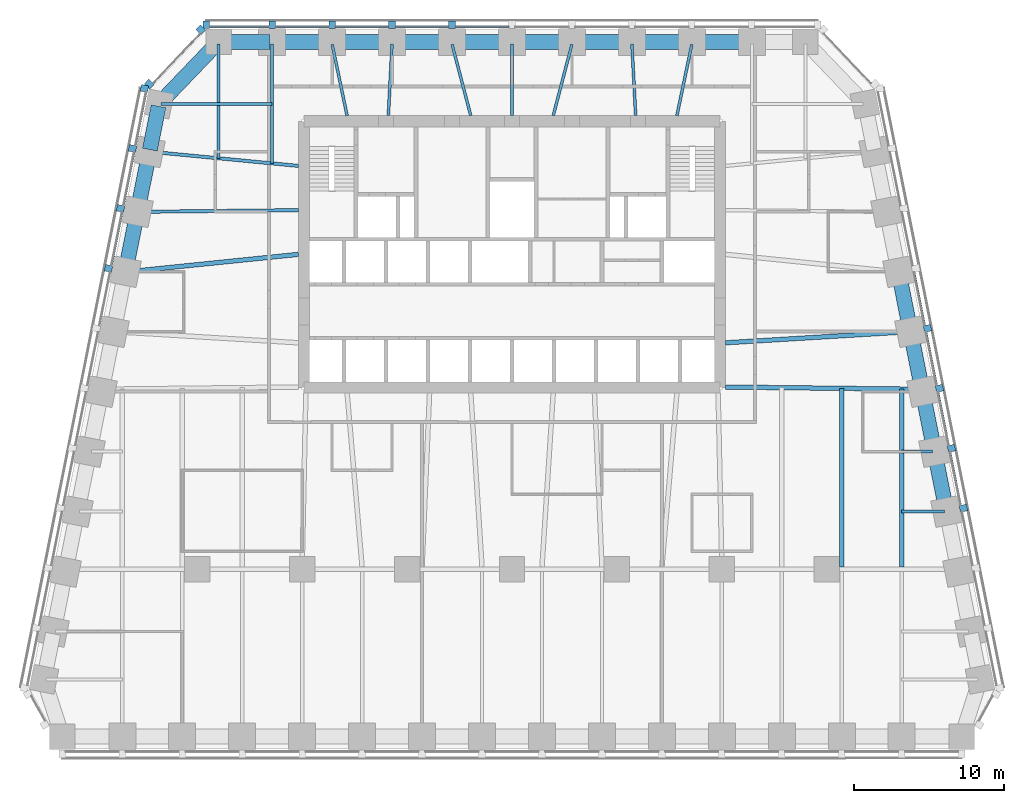
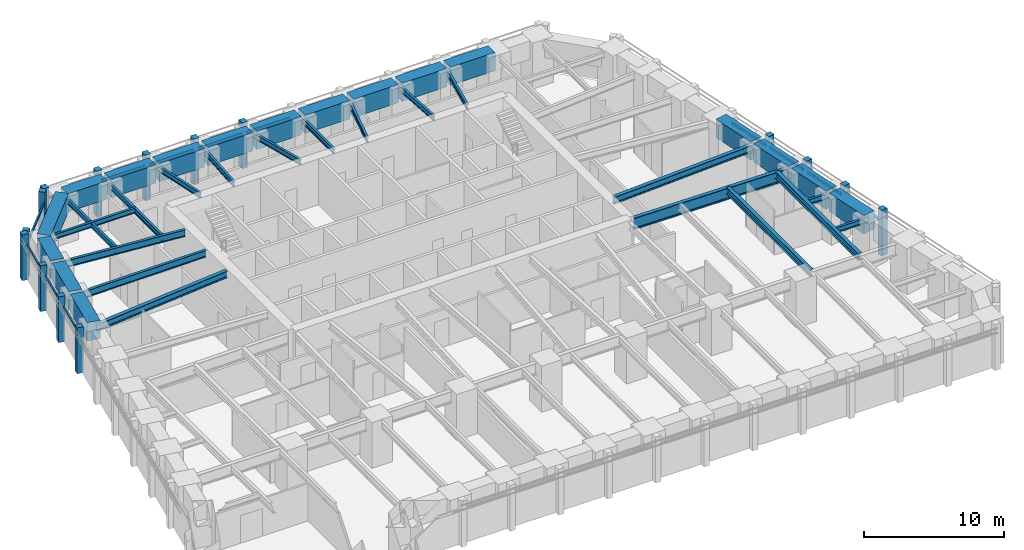
# One storey, part 3 of 10: 36 beams, 28 members, 4 elements without a shape of their own.
"""IFC4 building model written with IfcOpenShell, lengths in metres."""

import ifcopenshell
import ifcopenshell.guid

model = None  # the IFC model being written
_history = None  # IfcOwnerHistory: only IFC2X3 demands one
_inside = {}  # id of a spatial element -> (the spatial element, [elements in it])
_under = {}  # id of a project, library or spatial element -> (it, [spatial elements below it])
_declared = {}  # id of a project -> (the project, [libraries it declares])
_typed = {}  # id of a type object -> (the type object, [elements of that type])
_made_of = {}  # id of a material, layer set ... -> (it, [elements and type objects made of it])


def new_model(schema):
    """Start an empty IFC model of exactly this schema.

    Asked for "IFC4X3", IfcOpenShell would pick the latest addendum, in which some entities
    have other attributes; the version numbers below select the first issue.
    IFC2X3 requires an IfcOwnerHistory on every rooted entity: one is made here for all.
    """
    global model, _history
    if schema == "IFC4X3":
        model = ifcopenshell.file(schema_version=(4, 3, 0, 0))
    else:
        model = ifcopenshell.file(schema=schema)
    _inside.clear()
    _under.clear()
    _declared.clear()
    _typed.clear()
    _made_of.clear()
    _history = None
    if model.schema == "IFC2X3":
        org = make("IfcOrganization", Name="unknown")
        user = make(
            "IfcPersonAndOrganization",
            ThePerson=make("IfcPerson", FamilyName="unknown"),
            TheOrganization=org,
        )
        app = make(
            "IfcApplication",
            ApplicationDeveloper=org,
            Version="unknown",
            ApplicationFullName="unknown",
            ApplicationIdentifier="unknown",
        )
        _history = make(
            "IfcOwnerHistory",
            OwningUser=user,
            OwningApplication=app,
            ChangeAction="ADDED",
            CreationDate=0,
        )
    return model


def make(cls, **values):
    """One entity of the class cls with the attributes given. An attribute that is None is left unset."""
    return model.create_entity(
        cls, **{name: value for name, value in values.items() if value is not None}
    )


def rooted(cls, **values):
    """An entity with a GlobalId (a new one), such as an element, a storey or a relation."""
    return make(cls, GlobalId=ifcopenshell.guid.new(), OwnerHistory=_history, **values)


def si_unit(unit_type, name, prefix=None):
    """IfcSIUnit, for example si_unit("LENGTHUNIT", "METRE", prefix="MILLI")."""
    return make("IfcSIUnit", UnitType=unit_type, Prefix=prefix, Name=name)


def assignment(units):
    """IfcUnitAssignment: the units of a project."""
    return None if units is None else make("IfcUnitAssignment", Units=units)


def point(xyz):
    """IfcCartesianPoint."""
    return None if xyz is None else make("IfcCartesianPoint", Coordinates=xyz)


def direction(xyz):
    """IfcDirection."""
    return None if xyz is None else make("IfcDirection", DirectionRatios=xyz)


def frame(location, z_axis=None, x_axis=None):
    """IfcAxis2Placement3D, a coordinate frame: its origin and axes. An axis left out is left unset."""
    return make(
        "IfcAxis2Placement3D",
        Location=point(location),
        Axis=direction(z_axis),
        RefDirection=direction(x_axis),
    )


def frame_2d(location, x_axis=None):
    """IfcAxis2Placement2D, a coordinate frame in the plane: its origin and x axis."""
    return make(
        "IfcAxis2Placement2D", Location=point(location), RefDirection=direction(x_axis)
    )


def origin():
    """The frame at (0, 0, 0) with its axes left unset."""
    return frame((0.0, 0.0, 0.0))


def origin_2d():
    """The frame at (0, 0) in the plane with its x axis left unset."""
    return frame_2d((0.0, 0.0))


def place(relative_to, where):
    """IfcLocalPlacement: puts the frame where relative to a parent placement (None: the world)."""
    return make(
        "IfcLocalPlacement", PlacementRelTo=relative_to, RelativePlacement=where
    )


def context(
    kind, dimensions, precision=None, world=None, true_north=None, identifier=None
):
    """IfcGeometricRepresentationContext, for example the 3D "Model" context."""
    return make(
        "IfcGeometricRepresentationContext",
        ContextIdentifier=identifier,
        ContextType=kind,
        CoordinateSpaceDimension=dimensions,
        Precision=precision,
        WorldCoordinateSystem=world,
        TrueNorth=true_north,
    )


def subcontext(parent, identifier, kind, view, scale=None):
    """IfcGeometricRepresentationSubContext, for example "Body" below "Model"."""
    return make(
        "IfcGeometricRepresentationSubContext",
        ContextIdentifier=identifier,
        ContextType=kind,
        ParentContext=parent,
        TargetScale=scale,
        TargetView=view,
    )


def project(units=None, contexts=None):
    """IfcProject with its units and contexts."""
    return rooted(
        "IfcProject",
        Name="project",
        RepresentationContexts=contexts,
        UnitsInContext=assignment(units),
    )


def spatial(cls, under=None, at=None, **own):
    """A site, building, storey or space (cls), placed at a placement, below another one or the project."""
    s = rooted(cls, ObjectPlacement=at, **own)
    if under is not None:
        _under.setdefault(under.id(), (under, []))[1].append(s)
    return s


def profile(cls, at=None, kind="AREA", **sizes):
    """A parametric profile (cls). Its sizes go by their IFC names, for example OverallWidth=200.0."""
    return make(cls, ProfileType=kind, Position=at, **sizes)


def rectangle(**sizes):
    """IfcRectangleProfileDef."""
    return profile("IfcRectangleProfileDef", **sizes)


def i_section(**sizes):
    """IfcIShapeProfileDef."""
    return profile("IfcIShapeProfileDef", **sizes)


def extrude(swept, where, along, depth):
    """IfcExtrudedAreaSolid: the profile swept, set in the frame where, extruded along a direction by depth."""
    return make(
        "IfcExtrudedAreaSolid",
        SweptArea=swept,
        Position=where,
        ExtrudedDirection=direction(along),
        Depth=depth,
    )


def shape(context_of_items, identifier, shape_type, items):
    """IfcShapeRepresentation: the items that make up one representation, for example the "Body"."""
    return make(
        "IfcShapeRepresentation",
        ContextOfItems=context_of_items,
        RepresentationIdentifier=identifier,
        RepresentationType=shape_type,
        Items=items,
    )


def material(Name=None, Category=None):
    """IfcMaterial."""
    return make("IfcMaterial", Name=Name, Category=Category)


def material_profile(
    of_material, cross_section, Name=None, Category=None, Priority=None
):
    """IfcMaterialProfile: a cross section and its material."""
    return make(
        "IfcMaterialProfile",
        Name=Name,
        Material=of_material,
        Profile=cross_section,
        Priority=Priority,
        Category=Category,
    )


def profile_set(profiles, Name=None, composite=None):
    """IfcMaterialProfileSet."""
    return make(
        "IfcMaterialProfileSet",
        Name=Name,
        MaterialProfiles=profiles,
        CompositeProfile=composite,
    )


def made_of(thing, what):
    """Note that an element or type object is made of a material, layer set ...; save() writes the relation."""
    if what is not None:
        _made_of.setdefault(what.id(), (what, []))[1].append(thing)
    return thing


def type_object(cls, material=None, **own):
    """A type object (cls), such as IfcWallType, which elements share."""
    return made_of(rooted(cls, **own), material)


def element(
    cls,
    number,
    at=None,
    inside=None,
    cuts=None,
    type_object=None,
    material=None,
    context=None,
    identifier="Body",
    shape_type=None,
    held_by="IfcProductDefinitionShape",
    body=None,
    shapes=None,
    **own,
):
    """One element of the class cls, such as IfcWall. Its Tag is "e" and its number.

    at: its placement. inside: the storey or other place that contains it. cuts: it is an
    opening in that element (IfcRelVoidsElement). A single representation is given by context,
    identifier, shape_type and body (its items); several are given by shapes. held_by: the class
    of the entity that holds the representations. save() writes the other relations.
    """
    e = rooted(cls, Tag="e%d" % number, ObjectPlacement=at, **own)
    if body is not None:
        shapes = [shape(context, identifier, shape_type, body)]
    if shapes is not None:
        e.Representation = make(held_by, Representations=shapes)
    if inside is not None:
        _inside.setdefault(inside.id(), (inside, []))[1].append(e)
    if cuts is not None:
        rooted(
            "IfcRelVoidsElement", RelatingBuildingElement=cuts, RelatedOpeningElement=e
        )
    if type_object is not None:
        _typed.setdefault(type_object.id(), (type_object, []))[1].append(e)
    return made_of(e, material)


def aggregate(whole, parts):
    """IfcRelAggregates: a whole, such as a stair, and the parts it consists of."""
    return rooted("IfcRelAggregates", RelatingObject=whole, RelatedObjects=parts)


def save(model, path):
    """Write the relations noted so far, then the file.

    IfcRelAggregates (storeys below a building ...), IfcRelContainedInSpatialStructure (elements
    in a storey), IfcRelDefinesByType, IfcRelAssociatesMaterial and IfcRelDeclares: one each for
    every whole, place, type object, material and project.
    """
    for whole, parts in _under.values():
        aggregate(whole, parts)
    for where, things in _inside.values():
        rooted(
            "IfcRelContainedInSpatialStructure",
            RelatedElements=things,
            RelatingStructure=where,
        )
    for kind, things in _typed.values():
        rooted("IfcRelDefinesByType", RelatedObjects=things, RelatingType=kind)
    for what, things in _made_of.values():
        rooted("IfcRelAssociatesMaterial", RelatedObjects=things, RelatingMaterial=what)
    for by, libraries in _declared.values():
        rooted("IfcRelDeclares", RelatingContext=by, RelatedDefinitions=libraries)
    model.write(path)


model = new_model("IFC4")

# Units and contexts
model_context = context("Model", 3, precision=1e-05, world=origin(), true_north=direction((0.0, 1.0)))
body_context = subcontext(model_context, "Body", "Model", "MODEL_VIEW")
ifc_project = project(units=[si_unit("LENGTHUNIT", "METRE"), si_unit("AREAUNIT", "SQUARE_METRE"), si_unit("VOLUMEUNIT", "CUBIC_METRE"), si_unit("PLANEANGLEUNIT", "RADIAN"), si_unit("MASSUNIT", "GRAM", prefix="KILO")], contexts=[model_context])

# Site, building, storey
site_placement = place(None, origin())
site = spatial("IfcSite", under=ifc_project, at=site_placement, CompositionType="ELEMENT")
building_placement = place(site_placement, origin())
building = spatial("IfcBuilding", under=site, at=building_placement, Name="Isbrekke Arena Tower", CompositionType="ELEMENT")
storey_placement = place(building_placement, frame((0.0, 0.0, 155.0)))
storey = spatial("IfcBuildingStorey", under=building, at=storey_placement, Name="L35", CompositionType="ELEMENT", Elevation=155.0)

# Beams
ifc_material_1 = material(Name="Steel S355", Category="steel")
ifc_material_profile_1 = material_profile(ifc_material_1, i_section(OverallWidth=0.219970703125, OverallDepth=0.60009765625, WebThickness=0.011962890625, FlangeThickness=0.01904296875, FilletRadius=0.02392578125, at=origin_2d()), Name="IPE 600")
ifc_profile_set_1 = profile_set([ifc_material_profile_1], Name="Steel S355")
beam_type_1 = type_object("IfcBeamType", Name="B1 IPE 600", PredefinedType="BEAM", material=ifc_profile_set_1)
beam_1_placement = place(storey_placement, frame((-24.030517578125, 21.837158203125, 3.550048828125), z_axis=(0.995439798606, -0.095391862082, 0.0), x_axis=(0.095391862082, 0.995439798606, 0.0)))
element("IfcBeam", 1, at=beam_1_placement, inside=storey, type_object=beam_type_1, Name="B1 beam E-W02 L35", PredefinedType="BEAM", context=body_context, shape_type="SweptSolid", body=[
    extrude(i_section(OverallWidth=0.219970703125, OverallDepth=0.60009765625, WebThickness=0.011962890625, FlangeThickness=0.01904296875, FilletRadius=0.02392578125, at=origin_2d()), origin(), (0.0, 0.0, 1.0), 9.825439453125),
])
beam_2_placement = place(storey_placement, frame((-24.83984375, 17.838134765625, 3.550048828125), z_axis=(0.999944260169, 0.010558245831, 0.0), x_axis=(-0.010558245831, 0.999944260169, 0.0)))
element("IfcBeam", 2, at=beam_2_placement, inside=storey, type_object=beam_type_1, Name="B1 beam E-W03 L35", PredefinedType="BEAM", context=body_context, shape_type="SweptSolid", body=[
    extrude(i_section(OverallWidth=0.219970703125, OverallDepth=0.60009765625, WebThickness=0.011962890625, FlangeThickness=0.01904296875, FilletRadius=0.02392578125, at=origin_2d()), origin(), (0.0, 0.0, 1.0), 10.59033203125),
])
ifc_material_2 = material(Name="Steel S355", Category="steel")
ifc_material_profile_2 = material_profile(ifc_material_2, i_section(OverallWidth=0.18994140625, OverallDepth=0.449951171875, WebThickness=0.009521484375, FlangeThickness=0.0146484375, FilletRadius=0.02099609375, at=origin_2d()), Name="IPE 450")
ifc_profile_set_2 = profile_set([ifc_material_profile_2], Name="Steel S355")
beam_type_2 = type_object("IfcBeamType", Name="B2 IPE 450", PredefinedType="BEAM", material=ifc_profile_set_2)
beam_3_placement = place(storey_placement, frame((28.841064453125, -2.161865234375, 3.625), z_axis=(-1.0, 0.0, 0.0), x_axis=(0.0, -1.0, 0.0)))
element("IfcBeam", 3, at=beam_3_placement, inside=storey, type_object=beam_type_2, Name="B2 beam E-E04 L35", PredefinedType="BEAM", context=body_context, shape_type="SweptSolid", body=[
    extrude(i_section(OverallWidth=0.18994140625, OverallDepth=0.449951171875, WebThickness=0.009521484375, FlangeThickness=0.0146484375, FilletRadius=0.02099609375, at=origin_2d()), origin(), (0.0, 0.0, 1.0), 2.841064453125),
])
beam_4_placement = place(storey_placement, frame((28.041015625, 1.838134765625, 3.625), z_axis=(-1.0, 0.0, 0.0), x_axis=(0.0, -1.0, 0.0)))
element("IfcBeam", 4, at=beam_4_placement, inside=storey, type_object=beam_type_2, Name="B2 beam E-E05 L35", PredefinedType="BEAM", context=body_context, shape_type="SweptSolid", body=[
    extrude(i_section(OverallWidth=0.18994140625, OverallDepth=0.449951171875, WebThickness=0.009521484375, FlangeThickness=0.0146484375, FilletRadius=0.02099609375, at=origin_2d()), origin(), (0.0, 0.0, 1.0), 2.041015625),
])
beam_5_placement = place(storey_placement, frame((-23.40283203125, 25.029296875, 3.625), z_axis=(1.0, 0.0, 0.0), x_axis=(0.0, 1.0, 0.0)))
element("IfcBeam", 5, at=beam_5_placement, inside=storey, type_object=beam_type_2, Name="B2 beam E-W01 L35", PredefinedType="BEAM", context=body_context, shape_type="SweptSolid", body=[
    extrude(i_section(OverallWidth=0.18994140625, OverallDepth=0.449951171875, WebThickness=0.009521484375, FlangeThickness=0.0146484375, FilletRadius=0.02099609375, at=origin_2d()), origin(), (0.0, 0.0, 1.0), 7.40283203125),
])
ifc_material_3 = material(Name="Steel S355", Category="steel")
ifc_material_profile_3 = material_profile(ifc_material_3, i_section(OverallWidth=0.18994140625, OverallDepth=0.449951171875, WebThickness=0.009521484375, FlangeThickness=0.0146484375, FilletRadius=0.02099609375, at=origin_2d()), Name="IPE 450")
ifc_profile_set_3 = profile_set([ifc_material_profile_3], Name="Steel S355")
beam_type_3 = type_object("IfcBeamType", Name="B3 IPE 450", PredefinedType="BEAM", material=ifc_profile_set_3)
beam_6_placement = place(storey_placement, frame((-16.0, 29.02490234375, 3.625), z_axis=(0.0, -1.0, 0.0), x_axis=(1.0, 0.0, 0.0)))
element("IfcBeam", 6, at=beam_6_placement, inside=storey, type_object=beam_type_3, Name="B3 beam N-N10 L35", PredefinedType="BEAM", context=body_context, shape_type="SweptSolid", body=[
    extrude(i_section(OverallWidth=0.18994140625, OverallDepth=0.449951171875, WebThickness=0.009521484375, FlangeThickness=0.0146484375, FilletRadius=0.02099609375, at=origin_2d()), origin(), (0.0, 0.0, 1.0), 7.957275390625),
])
beam_7_placement = place(storey_placement, frame((-19.574951171875, 29.02490234375, 3.625), z_axis=(0.0, -1.0, 0.0), x_axis=(1.0, 0.0, 0.0)))
element("IfcBeam", 7, at=beam_7_placement, inside=storey, type_object=beam_type_3, Name="B3 beam N-N11 L35", PredefinedType="BEAM", context=body_context, shape_type="SweptSolid", body=[
    extrude(i_section(OverallWidth=0.18994140625, OverallDepth=0.449951171875, WebThickness=0.009521484375, FlangeThickness=0.0146484375, FilletRadius=0.02099609375, at=origin_2d()), origin(), (0.0, 0.0, 1.0), 7.61474609375),
])
beam_8_placement = place(storey_placement, frame((11.99609375, 29.005859375, 3.625), z_axis=(-0.20499748459, -0.978762499952, 0.0), x_axis=(0.978762499952, -0.20499748459, 0.0)))
element("IfcBeam", 8, at=beam_8_placement, inside=storey, type_object=beam_type_3, Name="B3 beam N-N03 L35", PredefinedType="BEAM", context=body_context, shape_type="SweptSolid", body=[
    extrude(i_section(OverallWidth=0.18994140625, OverallDepth=0.449951171875, WebThickness=0.009521484375, FlangeThickness=0.0146484375, FilletRadius=0.02099609375, at=origin_2d()), origin(), (0.0, 0.0, 1.0), 4.859130859375),
])
beam_9_placement = place(storey_placement, frame((8.000244140625, 29.02001953125, 3.625), z_axis=(0.052287879538, -0.998632053187, 0.0), x_axis=(0.998632053187, 0.052287879538, 0.0)))
element("IfcBeam", 9, at=beam_9_placement, inside=storey, type_object=beam_type_3, Name="B3 beam N-N04 L35", PredefinedType="BEAM", context=body_context, shape_type="SweptSolid", body=[
    extrude(i_section(OverallWidth=0.18994140625, OverallDepth=0.449951171875, WebThickness=0.009521484375, FlangeThickness=0.0146484375, FilletRadius=0.02099609375, at=origin_2d()), origin(), (0.0, 0.0, 1.0), 4.776611328125),
])
beam_10_placement = place(storey_placement, frame((3.993896484375, 29.001708984375, 3.625), z_axis=(-0.253245319824, -0.967402092197, 0.0), x_axis=(0.967402092197, -0.253245319824, 0.0)))
element("IfcBeam", 10, at=beam_10_placement, inside=storey, type_object=beam_type_3, Name="B3 beam N-N05 L35", PredefinedType="BEAM", context=body_context, shape_type="SweptSolid", body=[
    extrude(i_section(OverallWidth=0.18994140625, OverallDepth=0.449951171875, WebThickness=0.009521484375, FlangeThickness=0.0146484375, FilletRadius=0.02099609375, at=origin_2d()), origin(), (0.0, 0.0, 1.0), 4.911865234375),
])
beam_11_placement = place(storey_placement, frame((0.0, 29.02490234375, 3.625), z_axis=(0.0, -1.0, 0.0), x_axis=(1.0, 0.0, 0.0)))
element("IfcBeam", 11, at=beam_11_placement, inside=storey, type_object=beam_type_3, Name="B3 beam N-N06 L35", PredefinedType="BEAM", context=body_context, shape_type="SweptSolid", body=[
    extrude(i_section(OverallWidth=0.18994140625, OverallDepth=0.449951171875, WebThickness=0.009521484375, FlangeThickness=0.0146484375, FilletRadius=0.02099609375, at=origin_2d()), origin(), (0.0, 0.0, 1.0), 4.77490234375),
])
beam_12_placement = place(storey_placement, frame((-3.993896484375, 29.001708984375, 3.625), z_axis=(0.253245319824, -0.967402092197, 0.0), x_axis=(0.967402092197, 0.253245319824, 0.0)))
element("IfcBeam", 12, at=beam_12_placement, inside=storey, type_object=beam_type_3, Name="B3 beam N-N07 L35", PredefinedType="BEAM", context=body_context, shape_type="SweptSolid", body=[
    extrude(i_section(OverallWidth=0.18994140625, OverallDepth=0.449951171875, WebThickness=0.009521484375, FlangeThickness=0.0146484375, FilletRadius=0.02099609375, at=origin_2d()), origin(), (0.0, 0.0, 1.0), 4.911865234375),
])
beam_13_placement = place(storey_placement, frame((-8.000244140625, 29.02001953125, 3.625), z_axis=(-0.052287879538, -0.998632053187, 0.0), x_axis=(0.998632053187, -0.052287879538, 0.0)))
element("IfcBeam", 13, at=beam_13_placement, inside=storey, type_object=beam_type_3, Name="B3 beam N-N08 L35", PredefinedType="BEAM", context=body_context, shape_type="SweptSolid", body=[
    extrude(i_section(OverallWidth=0.18994140625, OverallDepth=0.449951171875, WebThickness=0.009521484375, FlangeThickness=0.0146484375, FilletRadius=0.02099609375, at=origin_2d()), origin(), (0.0, 0.0, 1.0), 4.776611328125),
])
beam_14_placement = place(storey_placement, frame((-11.99609375, 29.005859375, 3.625), z_axis=(0.20499748459, -0.978762499952, 0.0), x_axis=(0.978762499952, 0.20499748459, 0.0)))
element("IfcBeam", 14, at=beam_14_placement, inside=storey, type_object=beam_type_3, Name="B3 beam N-N09 L35", PredefinedType="BEAM", context=body_context, shape_type="SweptSolid", body=[
    extrude(i_section(OverallWidth=0.18994140625, OverallDepth=0.449951171875, WebThickness=0.009521484375, FlangeThickness=0.0146484375, FilletRadius=0.02099609375, at=origin_2d()), origin(), (0.0, 0.0, 1.0), 4.859130859375),
])
ifc_material_4 = material(Name="Steel S355", Category="steel")
ifc_material_profile_4 = material_profile(ifc_material_4, i_section(OverallWidth=0.300048828125, OverallDepth=0.60009765625, WebThickness=0.015380859375, FlangeThickness=0.030029296875, FilletRadius=0.027099609375, at=origin_2d()), Name="HEB 600")
ifc_profile_set_4 = profile_set([ifc_material_profile_4], Name="Steel S355")
beam_type_4 = type_object("IfcBeamType", Name="B7 HEB 600", PredefinedType="BEAM", material=ifc_profile_set_4)
beam_15_placement = place(storey_placement, frame((22.0, -5.84912109375, 3.550048828125), z_axis=(0.0, 1.0, 0.0), x_axis=(-1.0, 0.0, 0.0)))
element("IfcBeam", 15, at=beam_15_placement, inside=storey, type_object=beam_type_4, Name="B7 beam C-M13 L35", PredefinedType="BEAM", context=body_context, shape_type="SweptSolid", body=[
    extrude(i_section(OverallWidth=0.300048828125, OverallDepth=0.60009765625, WebThickness=0.015380859375, FlangeThickness=0.030029296875, FilletRadius=0.027099609375, at=origin_2d()), origin(), (0.0, 0.0, 1.0), 11.91064453125),
])
beam_16_placement = place(storey_placement, frame((26.0, -5.84912109375, 3.550048828125), z_axis=(0.0, 1.0, 0.0), x_axis=(-1.0, 0.0, 0.0)))
element("IfcBeam", 16, at=beam_16_placement, inside=storey, type_object=beam_type_4, Name="B7 beam C-M14 L35", PredefinedType="BEAM", context=body_context, shape_type="SweptSolid", body=[
    extrude(i_section(OverallWidth=0.300048828125, OverallDepth=0.60009765625, WebThickness=0.015380859375, FlangeThickness=0.030029296875, FilletRadius=0.027099609375, at=origin_2d()), origin(), (0.0, 0.0, 1.0), 11.864990234375),
])
beam_17_placement = place(storey_placement, frame((26.431884765625, 9.837646484375, 3.550048828125), z_axis=(-0.998172191876, -0.060434057993, 0.0), x_axis=(0.060434057993, -0.998172191876, 0.0)))
element("IfcBeam", 17, at=beam_17_placement, inside=storey, type_object=beam_type_4, Name="B7 beam E-E07 L35", PredefinedType="BEAM", context=body_context, shape_type="SweptSolid", body=[
    extrude(i_section(OverallWidth=0.300048828125, OverallDepth=0.60009765625, WebThickness=0.015380859375, FlangeThickness=0.030029296875, FilletRadius=0.027099609375, at=origin_2d()), origin(), (0.0, 0.0, 1.0), 12.2041015625),
])
beam_18_placement = place(storey_placement, frame((-25.6259765625, 13.83984375, 3.550048828125), z_axis=(0.994839949319, 0.10145676537, 0.0), x_axis=(-0.10145676537, 0.994839949319, 0.0)))
element("IfcBeam", 18, at=beam_18_placement, inside=storey, type_object=beam_type_4, Name="B7 beam E-W04 L35", PredefinedType="BEAM", context=body_context, shape_type="SweptSolid", body=[
    extrude(i_section(OverallWidth=0.300048828125, OverallDepth=0.60009765625, WebThickness=0.015380859375, FlangeThickness=0.030029296875, FilletRadius=0.027099609375, at=origin_2d()), origin(), (0.0, 0.0, 1.0), 11.43505859375),
])

# Curtain wall, members
ifc_material_5 = material(Name="Glazed aluminium curtain wall", Category="aluminium")
curtain_wall_type = type_object("IfcCurtainWallType", Name="CWM TOWER CURTAIN WALL MID ZONE", PredefinedType="USERDEFINED", material=ifc_material_5)
curtain_wall_1_placement = place(storey_placement, origin())
curtain_wall_1 = element("IfcCurtainWall", 19, at=curtain_wall_1_placement, inside=storey, type_object=curtain_wall_type, Name="CWM curtain wall L35-E", ObjectType="TOWER CURTAIN WALL MID ZONE", PredefinedType="USERDEFINED")
ifc_material_6 = material(Name="Aluminium mullion, pale brick slip cladding", Category="masonry")
ifc_material_profile_5 = material_profile(ifc_material_6, rectangle(XDim=0.449951171875, YDim=0.5, at=origin_2d()), Name="PIER 450X500")
ifc_profile_set_5 = profile_set([ifc_material_profile_5], Name="Aluminium mullion, pale brick slip cladding")
member_type_1 = type_object("IfcMemberType", Name="CWM-M PIER MULLION 450 x 500", PredefinedType="MULLION", material=ifc_profile_set_5)
member_1_placement = place(storey_placement, frame((30.11865234375, -1.936279296875, 0.0), z_axis=(0.0, 0.0, 1.0), x_axis=(-0.196116135138, 0.980580675691, 0.0)))
member_1 = element("IfcMember", 20, at=member_1_placement, type_object=member_type_1, Name="CWM-M mullion 4", PredefinedType="MULLION", context=body_context, shape_type="SweptSolid", body=[
    extrude(rectangle(XDim=0.449951171875, YDim=0.5, at=origin_2d()), origin(), (0.0, 0.0, 1.0), 4.0),
])
member_2_placement = place(storey_placement, frame((29.318603515625, 2.063720703125, 0.0), z_axis=(0.0, 0.0, 1.0), x_axis=(-0.196116135138, 0.980580675691, 0.0)))
member_2 = element("IfcMember", 21, at=member_2_placement, type_object=member_type_1, Name="CWM-M mullion 5", PredefinedType="MULLION", context=body_context, shape_type="SweptSolid", body=[
    extrude(rectangle(XDim=0.449951171875, YDim=0.5, at=origin_2d()), origin(), (0.0, 0.0, 1.0), 4.0),
])
member_3_placement = place(storey_placement, frame((28.518798828125, 6.063720703125, 0.0), z_axis=(0.0, 0.0, 1.0), x_axis=(-0.196116135138, 0.980580675691, 0.0)))
member_3 = element("IfcMember", 22, at=member_3_placement, type_object=member_type_1, Name="CWM-M mullion 6", PredefinedType="MULLION", context=body_context, shape_type="SweptSolid", body=[
    extrude(rectangle(XDim=0.449951171875, YDim=0.5, at=origin_2d()), origin(), (0.0, 0.0, 1.0), 4.0),
])
member_4_placement = place(storey_placement, frame((27.71875, 10.063720703125, 0.0), z_axis=(0.0, 0.0, 1.0), x_axis=(-0.196116135138, 0.980580675691, 0.0)))
member_4 = element("IfcMember", 23, at=member_4_placement, type_object=member_type_1, Name="CWM-M mullion 7", PredefinedType="MULLION", context=body_context, shape_type="SweptSolid", body=[
    extrude(rectangle(XDim=0.449951171875, YDim=0.5, at=origin_2d()), origin(), (0.0, 0.0, 1.0), 4.0),
])

curtain_wall_2_placement = place(storey_placement, origin())
curtain_wall_2 = element("IfcCurtainWall", 24, at=curtain_wall_2_placement, inside=storey, type_object=curtain_wall_type, Name="CWM curtain wall L35-N", ObjectType="TOWER CURTAIN WALL MID ZONE", PredefinedType="USERDEFINED")
member_5_placement = place(storey_placement, frame((-4.0, 30.324951171875, 0.0), z_axis=(0.0, 0.0, 1.0), x_axis=(-1.0, 0.0, 0.0)))
member_5 = element("IfcMember", 25, at=member_5_placement, type_object=member_type_1, Name="CWM-M mullion 7", PredefinedType="MULLION", context=body_context, shape_type="SweptSolid", body=[
    extrude(rectangle(XDim=0.449951171875, YDim=0.5, at=origin_2d()), origin(), (0.0, 0.0, 1.0), 4.0),
])
member_6_placement = place(storey_placement, frame((-8.0, 30.324951171875, 0.0), z_axis=(0.0, 0.0, 1.0), x_axis=(-1.0, 0.0, 0.0)))
member_6 = element("IfcMember", 26, at=member_6_placement, type_object=member_type_1, Name="CWM-M mullion 8", PredefinedType="MULLION", context=body_context, shape_type="SweptSolid", body=[
    extrude(rectangle(XDim=0.449951171875, YDim=0.5, at=origin_2d()), origin(), (0.0, 0.0, 1.0), 4.0),
])
member_7_placement = place(storey_placement, frame((-12.0, 30.324951171875, 0.0), z_axis=(0.0, 0.0, 1.0), x_axis=(-1.0, 0.0, 0.0)))
member_7 = element("IfcMember", 27, at=member_7_placement, type_object=member_type_1, Name="CWM-M mullion 9", PredefinedType="MULLION", context=body_context, shape_type="SweptSolid", body=[
    extrude(rectangle(XDim=0.449951171875, YDim=0.5, at=origin_2d()), origin(), (0.0, 0.0, 1.0), 4.0),
])
member_8_placement = place(storey_placement, frame((-16.0, 30.324951171875, 0.0), z_axis=(0.0, 0.0, 1.0), x_axis=(-1.0, 0.0, 0.0)))
member_8 = element("IfcMember", 28, at=member_8_placement, type_object=member_type_1, Name="CWM-M mullion 10", PredefinedType="MULLION", context=body_context, shape_type="SweptSolid", body=[
    extrude(rectangle(XDim=0.449951171875, YDim=0.5, at=origin_2d()), origin(), (0.0, 0.0, 1.0), 4.0),
])
member_9_placement = place(storey_placement, frame((-20.39990234375, 30.324951171875, 0.0), z_axis=(0.0, 0.0, 1.0), x_axis=(-1.0, 0.0, 0.0)))
member_9 = element("IfcMember", 29, at=member_9_placement, type_object=member_type_1, Name="CWM-M mullion 11", PredefinedType="MULLION", context=body_context, shape_type="SweptSolid", body=[
    extrude(rectangle(XDim=0.449951171875, YDim=0.5, at=origin_2d()), origin(), (0.0, 0.0, 1.0), 4.0),
])

curtain_wall_3_placement = place(storey_placement, origin())
curtain_wall_3 = element("IfcCurtainWall", 30, at=curtain_wall_3_placement, inside=storey, type_object=curtain_wall_type, Name="CWM curtain wall L35-NW", ObjectType="TOWER CURTAIN WALL MID ZONE", PredefinedType="USERDEFINED")
member_10_placement = place(storey_placement, frame((-20.759033203125, 29.985107421875, 0.0), z_axis=(0.0, 0.0, 1.0), x_axis=(-0.68874946192, -0.72499943359, 0.0)))
member_10 = element("IfcMember", 31, at=member_10_placement, type_object=member_type_1, Name="CWM-M mullion 1", PredefinedType="MULLION", context=body_context, shape_type="SweptSolid", body=[
    extrude(rectangle(XDim=0.449951171875, YDim=0.5, at=origin_2d()), origin(), (0.0, 0.0, 1.0), 4.0),
])
member_11_placement = place(storey_placement, frame((-24.207763671875, 26.35498046875, 0.0), z_axis=(0.0, 0.0, 1.0), x_axis=(-0.68874946192, -0.72499943359, 0.0)))
member_11 = element("IfcMember", 32, at=member_11_placement, type_object=member_type_1, Name="CWM-M mullion 2", PredefinedType="MULLION", context=body_context, shape_type="SweptSolid", body=[
    extrude(rectangle(XDim=0.449951171875, YDim=0.5, at=origin_2d()), origin(), (0.0, 0.0, 1.0), 4.0),
])

curtain_wall_4_placement = place(storey_placement, origin())
curtain_wall_4 = element("IfcCurtainWall", 33, at=curtain_wall_4_placement, inside=storey, type_object=curtain_wall_type, Name="CWM curtain wall L35-W", ObjectType="TOWER CURTAIN WALL MID ZONE", PredefinedType="USERDEFINED")
member_12_placement = place(storey_placement, frame((-24.518798828125, 26.063720703125, 0.0), z_axis=(0.0, 0.0, 1.0), x_axis=(-0.196116135138, -0.980580675691, 0.0)))
member_12 = element("IfcMember", 34, at=member_12_placement, type_object=member_type_1, Name="CWM-M mullion 1", PredefinedType="MULLION", context=body_context, shape_type="SweptSolid", body=[
    extrude(rectangle(XDim=0.449951171875, YDim=0.5, at=origin_2d()), origin(), (0.0, 0.0, 1.0), 4.0),
])
member_13_placement = place(storey_placement, frame((-25.318603515625, 22.063720703125, 0.0), z_axis=(0.0, 0.0, 1.0), x_axis=(-0.196116135138, -0.980580675691, 0.0)))
member_13 = element("IfcMember", 35, at=member_13_placement, type_object=member_type_1, Name="CWM-M mullion 2", PredefinedType="MULLION", context=body_context, shape_type="SweptSolid", body=[
    extrude(rectangle(XDim=0.449951171875, YDim=0.5, at=origin_2d()), origin(), (0.0, 0.0, 1.0), 4.0),
])
member_14_placement = place(storey_placement, frame((-26.11865234375, 18.063720703125, 0.0), z_axis=(0.0, 0.0, 1.0), x_axis=(-0.196116135138, -0.980580675691, 0.0)))
member_14 = element("IfcMember", 36, at=member_14_placement, type_object=member_type_1, Name="CWM-M mullion 3", PredefinedType="MULLION", context=body_context, shape_type="SweptSolid", body=[
    extrude(rectangle(XDim=0.449951171875, YDim=0.5, at=origin_2d()), origin(), (0.0, 0.0, 1.0), 4.0),
])
member_15_placement = place(storey_placement, frame((-26.918701171875, 14.063720703125, 0.0), z_axis=(0.0, 0.0, 1.0), x_axis=(-0.196116135138, -0.980580675691, 0.0)))
member_15 = element("IfcMember", 37, at=member_15_placement, type_object=member_type_1, Name="CWM-M mullion 4", PredefinedType="MULLION", context=body_context, shape_type="SweptSolid", body=[
    extrude(rectangle(XDim=0.449951171875, YDim=0.5, at=origin_2d()), origin(), (0.0, 0.0, 1.0), 4.0),
])

# Member
ifc_material_7 = material(Name="Aluminium transom", Category="aluminium")
ifc_material_profile_6 = material_profile(ifc_material_7, rectangle(XDim=0.1201171875, YDim=0.199951171875, at=origin_2d()), Name="TRANSOM 120X200")
ifc_profile_set_6 = profile_set([ifc_material_profile_6], Name="Aluminium transom")
member_type_2 = type_object("IfcMemberType", Name="CWM-T TRANSOM 120 x 200", PredefinedType="USERDEFINED", material=ifc_profile_set_6)
member_16_placement = place(storey_placement, frame((29.927490234375, -1.7451171875, 3.0), z_axis=(-0.196090262229, 0.980585849918, 0.0), x_axis=(-0.980585849918, -0.196090262229, 0.0)))
member_16 = element("IfcMember", 38, at=member_16_placement, type_object=member_type_2, Name="CWM-T transom 4", ObjectType="TRANSOM", PredefinedType="USERDEFINED", context=body_context, shape_type="SweptSolid", body=[
    extrude(rectangle(XDim=0.1201171875, YDim=0.199951171875, at=origin_2d()), origin(), (0.0, 0.0, 1.0), 3.62939453125),
])

member_17_placement = place(storey_placement, frame((29.12744140625, 2.2548828125, 3.0), z_axis=(-0.196090262229, 0.980585849918, 0.0), x_axis=(-0.980585849918, -0.196090262229, 0.0)))
member_17 = element("IfcMember", 39, at=member_17_placement, type_object=member_type_2, Name="CWM-T transom 5", ObjectType="TRANSOM", PredefinedType="USERDEFINED", context=body_context, shape_type="SweptSolid", body=[
    extrude(rectangle(XDim=0.1201171875, YDim=0.199951171875, at=origin_2d()), origin(), (0.0, 0.0, 1.0), 3.62939453125),
])

member_18_placement = place(storey_placement, frame((28.327392578125, 6.2548828125, 3.0), z_axis=(-0.196090262229, 0.980585849918, 0.0), x_axis=(-0.980585849918, -0.196090262229, 0.0)))
member_18 = element("IfcMember", 40, at=member_18_placement, type_object=member_type_2, Name="CWM-T transom 6", ObjectType="TRANSOM", PredefinedType="USERDEFINED", context=body_context, shape_type="SweptSolid", body=[
    extrude(rectangle(XDim=0.1201171875, YDim=0.199951171875, at=origin_2d()), origin(), (0.0, 0.0, 1.0), 3.62939453125),
])

member_19_placement = place(storey_placement, frame((27.527587890625, 10.2548828125, 3.0), z_axis=(-0.196154943734, 0.980572913173, 0.0), x_axis=(-0.980572913173, -0.196154943734, 0.0)))
member_19 = element("IfcMember", 41, at=member_19_placement, type_object=member_type_2, Name="CWM-T transom 7", ObjectType="TRANSOM", PredefinedType="USERDEFINED", context=body_context, shape_type="SweptSolid", body=[
    extrude(rectangle(XDim=0.1201171875, YDim=0.199951171875, at=origin_2d()), origin(), (0.0, 0.0, 1.0), 3.62939453125),
])

aggregate(curtain_wall_1, [member_1, member_2, member_3, member_4, member_16, member_17, member_18, member_19])

member_20_placement = place(storey_placement, frame((-0.22509765625, 30.175048828125, 3.0), z_axis=(-1.0, 0.0, 0.0), x_axis=(0.0, -1.0, 0.0)))
member_20 = element("IfcMember", 42, at=member_20_placement, type_object=member_type_2, Name="CWM-T transom 6", ObjectType="TRANSOM", PredefinedType="USERDEFINED", context=body_context, shape_type="SweptSolid", body=[
    extrude(rectangle(XDim=0.1201171875, YDim=0.199951171875, at=origin_2d()), origin(), (0.0, 0.0, 1.0), 3.5498046875),
])

member_21_placement = place(storey_placement, frame((-4.22509765625, 30.175048828125, 3.0), z_axis=(-1.0, 0.0, 0.0), x_axis=(0.0, -1.0, 0.0)))
member_21 = element("IfcMember", 43, at=member_21_placement, type_object=member_type_2, Name="CWM-T transom 7", ObjectType="TRANSOM", PredefinedType="USERDEFINED", context=body_context, shape_type="SweptSolid", body=[
    extrude(rectangle(XDim=0.1201171875, YDim=0.199951171875, at=origin_2d()), origin(), (0.0, 0.0, 1.0), 3.5498046875),
])

member_22_placement = place(storey_placement, frame((-8.22509765625, 30.175048828125, 3.0), z_axis=(-1.0, 0.0, 0.0), x_axis=(0.0, -1.0, 0.0)))
member_22 = element("IfcMember", 44, at=member_22_placement, type_object=member_type_2, Name="CWM-T transom 8", ObjectType="TRANSOM", PredefinedType="USERDEFINED", context=body_context, shape_type="SweptSolid", body=[
    extrude(rectangle(XDim=0.1201171875, YDim=0.199951171875, at=origin_2d()), origin(), (0.0, 0.0, 1.0), 3.5498046875),
])

member_23_placement = place(storey_placement, frame((-12.22509765625, 30.175048828125, 3.0), z_axis=(-1.0, 0.0, 0.0), x_axis=(0.0, -1.0, 0.0)))
member_23 = element("IfcMember", 45, at=member_23_placement, type_object=member_type_2, Name="CWM-T transom 9", ObjectType="TRANSOM", PredefinedType="USERDEFINED", context=body_context, shape_type="SweptSolid", body=[
    extrude(rectangle(XDim=0.1201171875, YDim=0.199951171875, at=origin_2d()), origin(), (0.0, 0.0, 1.0), 3.5498046875),
])

member_24_placement = place(storey_placement, frame((-16.22509765625, 30.175048828125, 3.0), z_axis=(-1.0, 0.0, 0.0), x_axis=(0.0, -1.0, 0.0)))
member_24 = element("IfcMember", 46, at=member_24_placement, type_object=member_type_2, Name="CWM-T transom 10", ObjectType="TRANSOM", PredefinedType="USERDEFINED", context=body_context, shape_type="SweptSolid", body=[
    extrude(rectangle(XDim=0.1201171875, YDim=0.199951171875, at=origin_2d()), origin(), (0.0, 0.0, 1.0), 3.949951171875),
])

aggregate(curtain_wall_2, [member_5, member_6, member_7, member_8, member_9, member_20, member_21, member_22, member_23, member_24])

member_25_placement = place(storey_placement, frame((-20.80517578125, 29.71875, 3.0), z_axis=(-0.688739606035, -0.725008796552, 0.0), x_axis=(0.725008796552, -0.688739606035, 0.0)))
member_25 = element("IfcMember", 47, at=member_25_placement, type_object=member_type_2, Name="CWM-T transom 1", ObjectType="TRANSOM", PredefinedType="USERDEFINED", context=body_context, shape_type="SweptSolid", body=[
    extrude(rectangle(XDim=0.1201171875, YDim=0.199951171875, at=origin_2d()), origin(), (0.0, 0.0, 1.0), 4.55712890625),
])

aggregate(curtain_wall_3, [member_10, member_11, member_25])

member_26_placement = place(storey_placement, frame((-24.415771484375, 25.813720703125, 3.0), z_axis=(-0.196090262229, -0.980585849918, 0.0), x_axis=(0.980585849918, -0.196090262229, 0.0)))
member_26 = element("IfcMember", 48, at=member_26_placement, type_object=member_type_2, Name="CWM-T transom 1", ObjectType="TRANSOM", PredefinedType="USERDEFINED", context=body_context, shape_type="SweptSolid", body=[
    extrude(rectangle(XDim=0.1201171875, YDim=0.199951171875, at=origin_2d()), origin(), (0.0, 0.0, 1.0), 3.62939453125),
])

member_27_placement = place(storey_placement, frame((-25.2158203125, 21.813720703125, 3.0), z_axis=(-0.196090262229, -0.980585849918, 0.0), x_axis=(0.980585849918, -0.196090262229, 0.0)))
member_27 = element("IfcMember", 49, at=member_27_placement, type_object=member_type_2, Name="CWM-T transom 2", ObjectType="TRANSOM", PredefinedType="USERDEFINED", context=body_context, shape_type="SweptSolid", body=[
    extrude(rectangle(XDim=0.1201171875, YDim=0.199951171875, at=origin_2d()), origin(), (0.0, 0.0, 1.0), 3.62939453125),
])

member_28_placement = place(storey_placement, frame((-26.015625, 17.813720703125, 3.0), z_axis=(-0.196154943734, -0.980572913173, 0.0), x_axis=(0.980572913173, -0.196154943734, 0.0)))
member_28 = element("IfcMember", 50, at=member_28_placement, type_object=member_type_2, Name="CWM-T transom 3", ObjectType="TRANSOM", PredefinedType="USERDEFINED", context=body_context, shape_type="SweptSolid", body=[
    extrude(rectangle(XDim=0.1201171875, YDim=0.199951171875, at=origin_2d()), origin(), (0.0, 0.0, 1.0), 3.62939453125),
])

aggregate(curtain_wall_4, [member_12, member_13, member_14, member_15, member_26, member_27, member_28])

# Beams
ifc_material_8 = material(Name="Steel S355", Category="steel")
ifc_material_profile_7 = material_profile(ifc_material_8, i_section(OverallWidth=0.302001953125, OverallDepth=1.008056640625, WebThickness=0.02099609375, FlangeThickness=0.0400390625, FilletRadius=0.030029296875, at=origin_2d()), Name="HEM 1000")
ifc_profile_set_7 = profile_set([ifc_material_profile_7], Name="Steel S355")
beam_type_5 = type_object("IfcBeamType", Name="G2 HEM 1000", PredefinedType="BEAM", material=ifc_profile_set_7)
beam_19_placement = place(storey_placement, frame((14.25, 6.14990234375, 3.345947265625), z_axis=(0.999934928157, -0.011407867963, 0.0), x_axis=(0.011407867963, 0.999934928157, 0.0)))
element("IfcBeam", 51, at=beam_19_placement, inside=storey, type_object=beam_type_5, Name="G2 beam G2-E L35", PredefinedType="BEAM", context=body_context, shape_type="SweptSolid", body=[
    extrude(i_section(OverallWidth=0.302001953125, OverallDepth=1.008056640625, WebThickness=0.02099609375, FlangeThickness=0.0400390625, FilletRadius=0.030029296875, at=origin_2d()), origin(), (0.0, 0.0, 1.0), 13.140380859375),
])
ifc_material_9 = material(Name="Concrete B80 (C80/95)", Category="concrete")
ifc_material_profile_8 = material_profile(ifc_material_9, rectangle(XDim=1.0, YDim=1.60009765625, at=origin_2d()), Name="RC 1000x1600")
ifc_profile_set_8 = profile_set([ifc_material_profile_8], Name="Concrete B80 (C80/95)")
beam_type_6 = type_object("IfcBeamType", Name="SB2 RC 1000 x 1600", PredefinedType="SPANDREL", material=ifc_profile_set_8)
for number, where, z_axis, x_axis, name in (
    (52, (28.961669921875, -2.0146484375, 3.199951171875), (-0.196128558387, 0.980578190959, 0.0), (-0.980578190959, -0.196128558387, 0.0), "SB2 spandrel E04-E05 L35"),
    (53, (28.16162109375, 1.9853515625, 3.199951171875), (-0.196128558387, 0.980578190959, 0.0), (-0.980578190959, -0.196128558387, 0.0), "SB2 spandrel E05-E06 L35"),
    (54, (27.361572265625, 5.9853515625, 3.199951171875), (-0.196128558387, 0.980578190959, 0.0), (-0.980578190959, -0.196128558387, 0.0), "SB2 spandrel E06-E07 L35"),
):
    element("IfcBeam", number, at=place(storey_placement, frame(where, z_axis=z_axis, x_axis=x_axis)), inside=storey, type_object=beam_type_6, Name=name, PredefinedType="SPANDREL", context=body_context, shape_type="SweptSolid", body=[
        extrude(rectangle(XDim=1.0, YDim=1.60009765625, at=origin_2d()), origin(), (0.0, 0.0, 1.0), 3.779296875),
    ])
beam_20_placement = place(storey_placement, frame((26.5615234375, 9.9853515625, 3.199951171875), z_axis=(-0.1960664412, 0.980590613169, 0.0), x_axis=(-0.980590613169, -0.1960664412, 0.0)))
element("IfcBeam", 55, at=beam_20_placement, inside=storey, type_object=beam_type_6, Name="SB2 spandrel E07-E08 L35", PredefinedType="SPANDREL", context=body_context, shape_type="SweptSolid", body=[
    extrude(rectangle(XDim=1.0, YDim=1.60009765625, at=origin_2d()), origin(), (0.0, 0.0, 1.0), 3.779052734375),
])
for number, where, z_axis, x_axis, name in (
    (56, (15.85009765625, 29.175048828125, 3.199951171875), (-1.0, 0.0, 0.0), (0.0, -1.0, 0.0), "SB2 spandrel N02-N03 L35"),
    (57, (11.85009765625, 29.175048828125, 3.199951171875), (-1.0, 0.0, 0.0), (0.0, -1.0, 0.0), "SB2 spandrel N03-N04 L35"),
    (58, (7.85009765625, 29.175048828125, 3.199951171875), (-1.0, 0.0, 0.0), (0.0, -1.0, 0.0), "SB2 spandrel N04-N05 L35"),
    (59, (3.85009765625, 29.175048828125, 3.199951171875), (-1.0, 0.0, 0.0), (0.0, -1.0, 0.0), "SB2 spandrel N05-N06 L35"),
    (60, (-0.14990234375, 29.175048828125, 3.199951171875), (-1.0, 0.0, 0.0), (0.0, -1.0, 0.0), "SB2 spandrel N06-N07 L35"),
    (61, (-4.14990234375, 29.175048828125, 3.199951171875), (-1.0, 0.0, 0.0), (0.0, -1.0, 0.0), "SB2 spandrel N07-N08 L35"),
    (62, (-8.14990234375, 29.175048828125, 3.199951171875), (-1.0, 0.0, 0.0), (0.0, -1.0, 0.0), "SB2 spandrel N08-N09 L35"),
    (63, (-12.14990234375, 29.175048828125, 3.199951171875), (-1.0, 0.0, 0.0), (0.0, -1.0, 0.0), "SB2 spandrel N09-N10 L35"),
):
    element("IfcBeam", number, at=place(storey_placement, frame(where, z_axis=z_axis, x_axis=x_axis)), inside=storey, type_object=beam_type_6, Name=name, PredefinedType="SPANDREL", context=body_context, shape_type="SweptSolid", body=[
        extrude(rectangle(XDim=1.0, YDim=1.60009765625, at=origin_2d()), origin(), (0.0, 0.0, 1.0), 3.7001953125),
    ])
beam_21_placement = place(storey_placement, frame((-16.14990234375, 29.175048828125, 3.199951171875), z_axis=(-1.0, 0.0, 0.0), x_axis=(0.0, -1.0, 0.0)))
element("IfcBeam", 64, at=beam_21_placement, inside=storey, type_object=beam_type_6, Name="SB2 spandrel N10-N11 L35", PredefinedType="SPANDREL", context=body_context, shape_type="SweptSolid", body=[
    extrude(rectangle(XDim=1.0, YDim=1.60009765625, at=origin_2d()), origin(), (0.0, 0.0, 1.0), 3.275146484375),
])
beam_22_placement = place(storey_placement, frame((-19.678955078125, 29.066650390625, 3.199951171875), z_axis=(-0.692339547635, -0.721571861134, 0.0), x_axis=(0.721571861134, -0.692339547635, 0.0)))
element("IfcBeam", 65, at=beam_22_placement, inside=storey, type_object=beam_type_6, Name="SB2 spandrel N11-W01 L35", PredefinedType="SPANDREL", context=body_context, shape_type="SweptSolid", body=[
    extrude(rectangle(XDim=1.0, YDim=1.60009765625, at=origin_2d()), origin(), (0.0, 0.0, 1.0), 5.4453125),
])
beam_23_placement = place(storey_placement, frame((-23.582275390625, 24.882080078125, 3.199951171875), z_axis=(-0.196116135138, -0.980580675691, 0.0), x_axis=(0.980580675691, -0.196116135138, 0.0)))
element("IfcBeam", 66, at=beam_23_placement, inside=storey, type_object=beam_type_6, Name="SB2 spandrel W01-W02 L35", PredefinedType="SPANDREL", context=body_context, shape_type="SweptSolid", body=[
    extrude(rectangle(XDim=1.0, YDim=1.60009765625, at=origin_2d()), origin(), (0.0, 0.0, 1.0), 2.9541015625),
])
for number, where, z_axis, x_axis, name in (
    (67, (-24.220458984375, 21.691162109375, 3.199951171875), (-0.196128558387, -0.980578190959, 0.0), (0.980578190959, -0.196128558387, 0.0), "SB2 spandrel W02-W03 L35"),
    (68, (-25.0205078125, 17.691162109375, 3.199951171875), (-0.196128558387, -0.980578190959, 0.0), (0.980578190959, -0.196128558387, 0.0), "SB2 spandrel W03-W04 L35"),
):
    element("IfcBeam", number, at=place(storey_placement, frame(where, z_axis=z_axis, x_axis=x_axis)), inside=storey, type_object=beam_type_6, Name=name, PredefinedType="SPANDREL", context=body_context, shape_type="SweptSolid", body=[
        extrude(rectangle(XDim=1.0, YDim=1.60009765625, at=origin_2d()), origin(), (0.0, 0.0, 1.0), 3.779296875),
    ])

save(model, "model.ifc")
